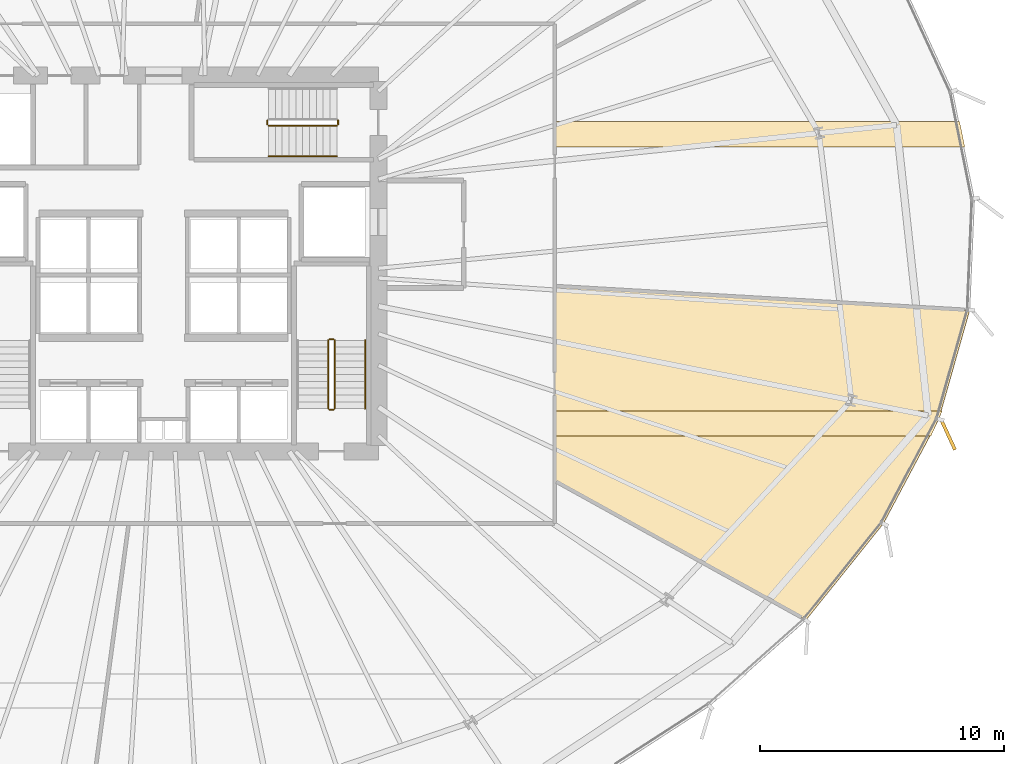
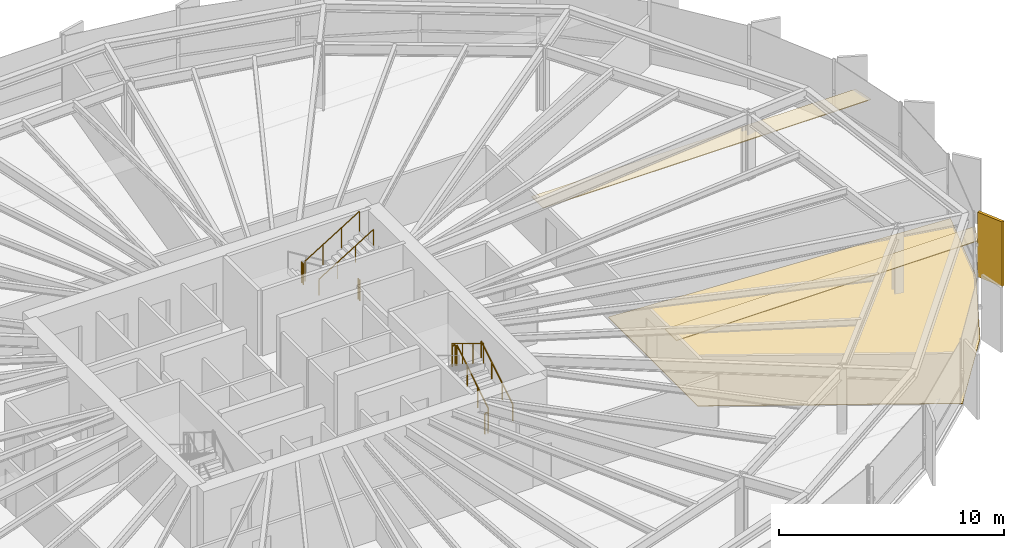
# One storey, part 36 of 37: 9 railings, 4 coverings.
"""IFC4 building model written with IfcOpenShell, lengths in metres."""

from ifc_helpers import new_model, si_unit, direction, frame, origin, origin_2d, place, context, subcontext, project, spatial, polyline, rectangle, circle, outline, extrude, source, transform, mapped, material, layer, layer_set, type_object, element, save


model = new_model("IFC4")

# Units and contexts
model_context = context("Model", 3, precision=1e-05, world=origin(), true_north=direction((0.0, 1.0)))
body_context = subcontext(model_context, "Body", "Model", "MODEL_VIEW")
ifc_project = project(units=[si_unit("LENGTHUNIT", "METRE"), si_unit("AREAUNIT", "SQUARE_METRE"), si_unit("VOLUMEUNIT", "CUBIC_METRE"), si_unit("PLANEANGLEUNIT", "RADIAN"), si_unit("MASSUNIT", "GRAM", prefix="KILO"), si_unit("THERMODYNAMICTEMPERATUREUNIT", "KELVIN")], contexts=[model_context])

# Site, building, storey
site_placement = place(None, origin())
site = spatial("IfcSite", under=ifc_project, at=site_placement, CompositionType="ELEMENT")
building_placement = place(site_placement, origin())
building = spatial("IfcBuilding", under=site, at=building_placement, Name="Kethvar Cultural Tower", CompositionType="ELEMENT")
storey_placement = place(building_placement, frame((0.0, 0.0, 48.60009765625)))
storey = spatial("IfcBuildingStorey", under=building, at=storey_placement, Name="L11", CompositionType="ELEMENT", Elevation=48.60009765625)

# Coverings
ifc_material_1 = material(Name="Acoustic Mineral Fibre Ceiling")
ifc_layer_1 = layer(ifc_material_1, 0.0400390625, Name="Acoustic Mineral Fibre Ceiling")
ifc_layer_set_1 = layer_set([ifc_layer_1], Name="Acoustic Mineral Fibre Ceiling (40 mm)")
covering_type_1 = type_object("IfcCoveringType", Name="CV-ACOUSTIC-CEIL", PredefinedType="CEILING", material=ifc_layer_set_1)
covering_1_placement = place(storey_placement, frame((0.0, 0.0, 2.449951171875)))
element("IfcCovering", 1, at=covering_1_placement, inside=storey, type_object=covering_type_1, Name="L11 Room 03 Acoustic Ceiling Panel", PredefinedType="CEILING", context=body_context, shape_type="SweptSolid", body=[
    extrude(outline(polyline([(78.7099609375, 21.755615234375), (78.249755859375, 20.7255859375), (62.81005859375, 20.7255859375), (62.81005859375, 21.755615234375), (78.7099609375, 21.755615234375)])), origin(), (0.0, 0.0, 1.0), 0.0400390625),
])
covering_2_placement = place(storey_placement, frame((0.0, 0.0, 2.449951171875)))
element("IfcCovering", 2, at=covering_2_placement, inside=storey, type_object=covering_type_1, Name="L11 Room 04 Acoustic Ceiling Panel", PredefinedType="CEILING", context=body_context, shape_type="SweptSolid", body=[
    extrude(outline(polyline([(79.632568359375, 32.578125), (62.81005859375, 32.578125), (62.81005859375, 33.608154296875), (79.424560546875, 33.608154296875), (79.632568359375, 32.578125)])), origin(), (0.0, 0.0, 1.0), 0.0400390625),
])
ifc_material_2 = material(Name="Honed Warm Limestone", Category="masonry")
ifc_layer_2 = layer(ifc_material_2, 0.030029296875, Name="Honed Warm Limestone", Category="masonry")
ifc_layer_set_2 = layer_set([ifc_layer_2], Name="Honed Warm Limestone (30 mm)")
covering_type_2 = type_object("IfcCoveringType", Name="CV-STONE-FLOOR", PredefinedType="FLOORING", material=ifc_layer_set_2)
covering_3_placement = place(storey_placement, origin())
element("IfcCovering", 3, at=covering_3_placement, inside=storey, type_object=covering_type_2, Name="L11 Room 03 Floor Finish", PredefinedType="FLOORING", context=body_context, shape_type="SweptSolid", body=[
    extrude(outline(polyline([(78.573974609375, 21.421875), (76.300537109375, 17.14111328125), (73.131103515625, 13.19482421875), (62.85009765625, 18.906494140625), (62.85009765625, 26.852294921875), (79.83154296875, 25.87060546875), (78.573974609375, 21.421875)])), origin(), (0.0, 0.0, 1.0), 0.02978515625),
])

# Railings
ifc_material_3 = material(Name="Steel S355J2", Category="steel")
railing_type_1 = type_object("IfcRailingType", Name="RL-STAIR-GUARD", PredefinedType="BALUSTRADE", material=ifc_material_3)
railing_1_placement = place(storey_placement, frame((53.81005859375, 21.85009765625, 0.172607421875)))
element("IfcRailing", 4, at=railing_1_placement, inside=storey, type_object=railing_type_1, Name="L11 ST-02 stair guard 1", PredefinedType="BALUSTRADE", context=body_context, shape_type="SweptSolid", body=[
    extrude(circle(Radius=0.02392578125, at=origin_2d()), frame((0.0, 0.0, 1.09619140625), z_axis=(0.0, 0.851069175582, 0.525053576669), x_axis=(-1.0, 0.0, 0.0)), (0.0, 0.0, 1.0), 3.289794921875),
    extrude(circle(Radius=0.02099609375, at=origin_2d()), origin(), (0.0, 0.0, 1.0), 1.072021484375),
    extrude(circle(Radius=0.02099609375, at=origin_2d()), frame((0.0, 0.933349609375, 0.57568359375)), (0.0, 0.0, 1.0), 1.072021484375),
    extrude(circle(Radius=0.02099609375, at=origin_2d()), frame((0.0, 1.866455078125, 1.151611328125)), (0.0, 0.0, 1.0), 1.072021484375),
    extrude(circle(Radius=0.02099609375, at=origin_2d()), frame((0.0, 2.7998046875, 1.727294921875)), (0.0, 0.0, 1.0), 1.072021484375),
])
railing_2_placement = place(storey_placement, frame((53.760009765625, 24.699951171875, 1.89990234375)))
element("IfcRailing", 5, at=railing_2_placement, inside=storey, type_object=railing_type_1, Name="L11 ST-02 stair guard 2", PredefinedType="BALUSTRADE", context=body_context, shape_type="SweptSolid", body=[
    extrude(circle(Radius=0.02392578125, at=origin_2d()), frame((0.0, 0.0, 1.09619140625), z_axis=(-1.0, 0.0, 0.0), x_axis=(0.0, -1.0, 0.0)), (0.0, 0.0, 1.0), 0.159912109375),
    extrude(circle(Radius=0.02099609375, at=origin_2d()), origin(), (0.0, 0.0, 1.0), 1.072021484375),
    extrude(circle(Radius=0.02099609375, at=origin_2d()), frame((-0.159912109375, 0.0, 0.0)), (0.0, 0.0, 1.0), 1.072021484375),
])
railing_3_placement = place(storey_placement, frame((53.550048828125, 24.64990234375, 2.072509765625)))
element("IfcRailing", 6, at=railing_3_placement, inside=storey, type_object=railing_type_1, Name="L11 ST-02 stair guard 3", PredefinedType="BALUSTRADE", context=body_context, shape_type="SweptSolid", body=[
    extrude(circle(Radius=0.02392578125, at=origin_2d()), frame((0.0, 0.0, 1.09619140625), z_axis=(0.0, -0.851069175582, 0.525053576669), x_axis=(1.0, 0.0, 0.0)), (0.0, 0.0, 1.0), 3.289794921875),
    extrude(circle(Radius=0.02099609375, at=origin_2d()), origin(), (0.0, 0.0, 1.0), 1.072021484375),
    extrude(circle(Radius=0.02099609375, at=origin_2d()), frame((0.0, -0.933349609375, 0.57568359375)), (0.0, 0.0, 1.0), 1.072021484375),
    extrude(circle(Radius=0.02099609375, at=origin_2d()), frame((0.0, -1.866455078125, 1.151611328125)), (0.0, 0.0, 1.0), 1.072021484375),
    extrude(circle(Radius=0.02099609375, at=origin_2d()), frame((0.0, -2.7998046875, 1.727294921875)), (0.0, 0.0, 1.0), 1.072021484375),
])
railing_4_placement = place(storey_placement, frame((53.760009765625, 21.800048828125, 0.0)))
element("IfcRailing", 7, at=railing_4_placement, inside=storey, type_object=railing_type_1, Name="L11 ST-02 stair guard 4", PredefinedType="BALUSTRADE", context=body_context, shape_type="SweptSolid", body=[
    extrude(circle(Radius=0.02392578125, at=origin_2d()), frame((0.0, 0.0, 1.09619140625), z_axis=(-1.0, 0.0, 0.0), x_axis=(0.0, -1.0, 0.0)), (0.0, 0.0, 1.0), 0.159912109375),
    extrude(circle(Radius=0.02099609375, at=origin_2d()), origin(), (0.0, 0.0, 1.0), 1.072021484375),
    extrude(circle(Radius=0.02099609375, at=origin_2d()), frame((-0.159912109375, 0.0, 0.0)), (0.0, 0.0, 1.0), 1.072021484375),
])
railing_5_placement = place(storey_placement, frame((51.050048828125, 33.659912109375, 1.89990234375)))
element("IfcRailing", 8, at=railing_5_placement, inside=storey, type_object=railing_type_1, Name="L11 ST-03 stair guard 2", PredefinedType="BALUSTRADE", context=body_context, shape_type="SweptSolid", body=[
    extrude(circle(Radius=0.02392578125, at=origin_2d()), frame((0.0, 0.0, 1.09619140625), z_axis=(0.0, -1.0, 0.0), x_axis=(1.0, 0.0, 0.0)), (0.0, 0.0, 1.0), 0.159912109375),
    extrude(circle(Radius=0.02099609375, at=origin_2d()), origin(), (0.0, 0.0, 1.0), 1.072021484375),
    extrude(circle(Radius=0.02099609375, at=origin_2d()), frame((0.0, -0.159912109375, 0.0)), (0.0, 0.0, 1.0), 1.072021484375),
])
railing_6_placement = place(storey_placement, frame((51.10009765625, 33.449951171875, 2.072509765625)))
element("IfcRailing", 9, at=railing_6_placement, inside=storey, type_object=railing_type_1, Name="L11 ST-03 stair guard 3", PredefinedType="BALUSTRADE", context=body_context, shape_type="SweptSolid", body=[
    extrude(circle(Radius=0.02392578125, at=origin_2d()), frame((0.0, 0.0, 1.09619140625), z_axis=(0.851069175582, 0.0, 0.525053576669), x_axis=(0.0, 1.0, 0.0)), (0.0, 0.0, 1.0), 3.289794921875),
    extrude(circle(Radius=0.02099609375, at=origin_2d()), origin(), (0.0, 0.0, 1.0), 1.072021484375),
    extrude(circle(Radius=0.02099609375, at=origin_2d()), frame((0.933349609375, 0.0, 0.57568359375)), (0.0, 0.0, 1.0), 1.072021484375),
    extrude(circle(Radius=0.02099609375, at=origin_2d()), frame((1.866455078125, 0.0, 1.151611328125)), (0.0, 0.0, 1.0), 1.072021484375),
    extrude(circle(Radius=0.02099609375, at=origin_2d()), frame((2.7998046875, 0.0, 1.727294921875)), (0.0, 0.0, 1.0), 1.072021484375),
])
railing_7_placement = place(storey_placement, frame((53.949951171875, 33.659912109375, 0.0)))
element("IfcRailing", 10, at=railing_7_placement, inside=storey, type_object=railing_type_1, Name="L11 ST-03 stair guard 4", PredefinedType="BALUSTRADE", context=body_context, shape_type="SweptSolid", body=[
    extrude(circle(Radius=0.02392578125, at=origin_2d()), frame((0.0, 0.0, 1.09619140625), z_axis=(0.0, -1.0, 0.0), x_axis=(1.0, 0.0, 0.0)), (0.0, 0.0, 1.0), 0.159912109375),
    extrude(circle(Radius=0.02099609375, at=origin_2d()), origin(), (0.0, 0.0, 1.0), 1.072021484375),
    extrude(circle(Radius=0.02099609375, at=origin_2d()), frame((0.0, -0.159912109375, 0.0)), (0.0, 0.0, 1.0), 1.072021484375),
])
railing_type_2 = type_object("IfcRailingType", Name="RL-STAIR-HANDRAIL", PredefinedType="HANDRAIL", material=ifc_material_3)
railing_8_placement = place(storey_placement, frame((55.06005859375, 21.85009765625, 0.172607421875)))
element("IfcRailing", 11, at=railing_8_placement, inside=storey, type_object=railing_type_2, Name="L11 ST-02 stair handrail 1", PredefinedType="HANDRAIL", context=body_context, shape_type="SweptSolid", body=[
    extrude(circle(Radius=0.02392578125, at=origin_2d()), frame((0.0, 0.0, 0.8759765625), z_axis=(0.0, 0.851069175582, 0.525053576669), x_axis=(-1.0, 0.0, 0.0)), (0.0, 0.0, 1.0), 3.289794921875),
    extrude(circle(Radius=0.02099609375, at=origin_2d()), origin(), (0.0, 0.0, 1.0), 0.851806640625),
    extrude(circle(Radius=0.02099609375, at=origin_2d()), frame((0.0, 0.933349609375, 0.57568359375)), (0.0, 0.0, 1.0), 0.851806640625),
    extrude(circle(Radius=0.02099609375, at=origin_2d()), frame((0.0, 1.866455078125, 1.151611328125)), (0.0, 0.0, 1.0), 0.851806640625),
    extrude(circle(Radius=0.02099609375, at=origin_2d()), frame((0.0, 2.7998046875, 1.727294921875)), (0.0, 0.0, 1.0), 0.851806640625),
])
railing_9_placement = place(storey_placement, frame((51.10009765625, 32.199951171875, 2.072509765625)))
element("IfcRailing", 12, at=railing_9_placement, inside=storey, type_object=railing_type_2, Name="L11 ST-03 stair handrail 2", PredefinedType="HANDRAIL", context=body_context, shape_type="SweptSolid", body=[
    extrude(circle(Radius=0.02392578125, at=origin_2d()), frame((0.0, 0.0, 0.8759765625), z_axis=(0.851069175582, 0.0, 0.525053576669), x_axis=(0.0, 1.0, 0.0)), (0.0, 0.0, 1.0), 3.289794921875),
    extrude(circle(Radius=0.02099609375, at=origin_2d()), origin(), (0.0, 0.0, 1.0), 0.851806640625),
    extrude(circle(Radius=0.02099609375, at=origin_2d()), frame((0.933349609375, 0.0, 0.57568359375)), (0.0, 0.0, 1.0), 0.851806640625),
    extrude(circle(Radius=0.02099609375, at=origin_2d()), frame((1.866455078125, 0.0, 1.151611328125)), (0.0, 0.0, 1.0), 0.851806640625),
    extrude(circle(Radius=0.02099609375, at=origin_2d()), frame((2.7998046875, 0.0, 1.727294921875)), (0.0, 0.0, 1.0), 0.851806640625),
])

# Covering
ifc_material_4 = material(Name="Extruded Architectural Terracotta", Category="masonry")
ifc_layer_3 = layer(ifc_material_4, 0.135009765625, Name="Extruded Architectural Terracotta", Category="masonry")
ifc_layer_set_3 = layer_set([ifc_layer_3], Name="Extruded Architectural Terracotta (135 mm)")
covering_type_3 = type_object("IfcCoveringType", Name="Terracotta Facade Fin FIN-01", PredefinedType="CLADDING", material=ifc_layer_set_3)
shared_shape = source(origin(), body_context, "Body", "SweptSolid", [
    extrude(rectangle(XDim=1.35009765625, YDim=0.135009765625, at=origin_2d()), origin(), (0.0, 0.0, 1.0), 3.510009765625),
])
covering_4_placement = place(storey_placement, frame((78.95166015625, 20.779296875, 0.02001953125), z_axis=(0.0, 0.0, 1.0), x_axis=(0.417867073801, -0.908508177527, 0.0)))
element("IfcCovering", 13, at=covering_4_placement, inside=storey, type_object=covering_type_3, Name="L11 Vertical Terracotta Fin 6.5", PredefinedType="CLADDING", context=body_context, shape_type="MappedRepresentation", body=[
    mapped(shared_shape, transform((0.0, 0.0, 0.0), scale=1.0)),
])

save(model, "model.ifc")
